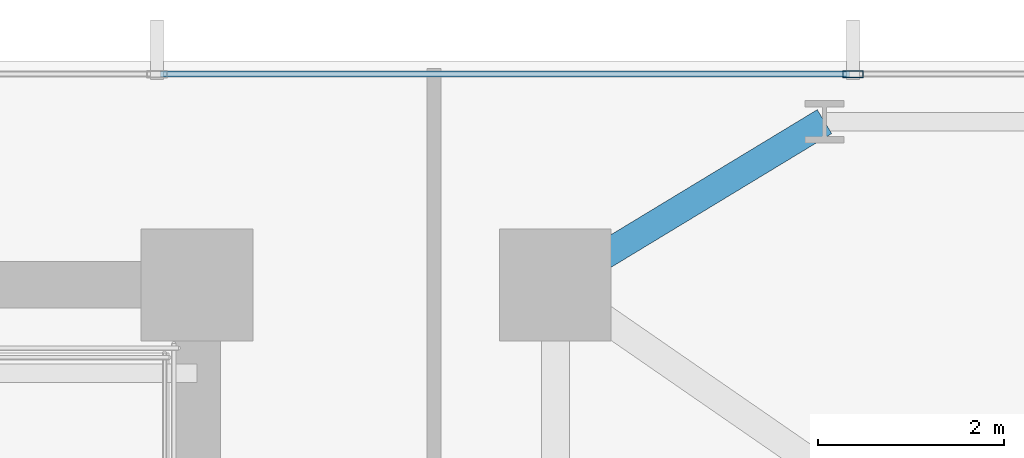
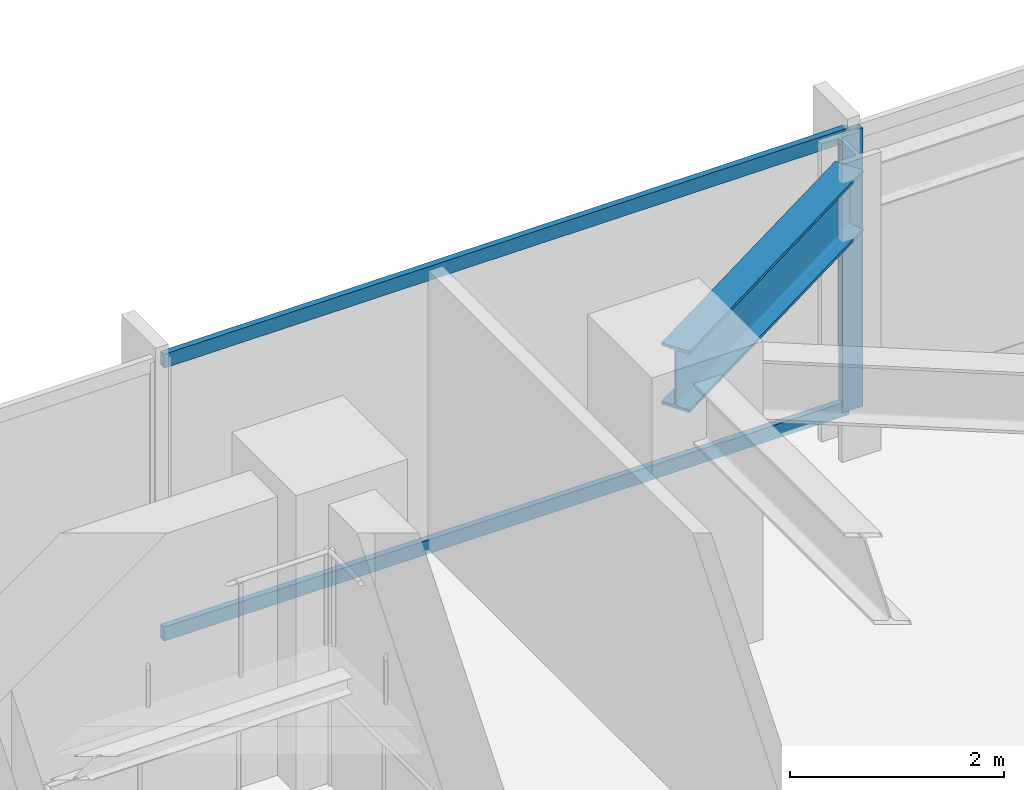
# One storey, part 20 of 32: 3 members, 1 beam, 1 element without a shape of its own.
"""IFC4 building model written with IfcOpenShell, lengths in metres."""

from ifc_helpers import new_model, si_unit, direction, frame, origin, origin_2d, place, context, subcontext, project, spatial, hollow_rectangle, i_section, extrude, material, material_profile, profile_set, type_object, element, aggregate, save


model = new_model("IFC4")

# Units and contexts
model_context = context("Model", 3, precision=1e-05, world=origin(), true_north=direction((0.0, 1.0)))
body_context = subcontext(model_context, "Body", "Model", "MODEL_VIEW")
ifc_project = project(units=[si_unit("LENGTHUNIT", "METRE"), si_unit("AREAUNIT", "SQUARE_METRE"), si_unit("VOLUMEUNIT", "CUBIC_METRE"), si_unit("PLANEANGLEUNIT", "RADIAN"), si_unit("MASSUNIT", "GRAM", prefix="KILO")], contexts=[model_context])

# Site, building, storey
site_placement = place(None, origin())
site = spatial("IfcSite", under=ifc_project, at=site_placement, CompositionType="ELEMENT")
building_placement = place(site_placement, origin())
building = spatial("IfcBuilding", under=site, at=building_placement, Name="Yelkora Congress Tower", CompositionType="ELEMENT")
storey_placement = place(building_placement, frame((0.0, 0.0, 33.800048828125)))
storey = spatial("IfcBuildingStorey", under=building, at=storey_placement, Name="L07", CompositionType="ELEMENT", Elevation=33.800048828125)

# Beam
ifc_material_1 = material(Name="Steel S355J2", Category="steel")
ifc_material_profile_1 = material_profile(ifc_material_1, i_section(OverallWidth=0.300048828125, OverallDepth=0.699951171875, WebThickness=0.01708984375, FlangeThickness=0.031982421875, FilletRadius=0.027099609375, at=origin_2d()), Name="HEB 700")
ifc_profile_set_1 = profile_set([ifc_material_profile_1], Name="Steel S355J2")
beam_type = type_object("IfcBeamType", Name="BM-GIRD-HEB700", PredefinedType="BEAM", material=ifc_profile_set_1)
beam_placement = place(storey_placement, frame((60.487548828125, 47.949951171875, 2.829833984375), z_axis=(-0.855193946581, -0.518308126244, 0.0), x_axis=(0.518308126244, -0.855193946581, 0.0)))
element("IfcBeam", 1, at=beam_placement, inside=storey, type_object=beam_type, Name="L07 Primary Frame Girder N08", PredefinedType="BEAM", context=body_context, shape_type="SweptSolid", body=[
    extrude(i_section(OverallWidth=0.300048828125, OverallDepth=0.699951171875, WebThickness=0.01708984375, FlangeThickness=0.031982421875, FilletRadius=0.027099609375, at=origin_2d()), origin(), (0.0, 0.0, 1.0), 3.37646484375),
])

# Curtain wall, members
ifc_material_2 = material(Name="Anodised aluminium and insulated glass", Category="aluminium")
curtain_wall_type = type_object("IfcCurtainWallType", Name="CW-SYS-B1", PredefinedType="NOTDEFINED", material=ifc_material_2)
curtain_wall_placement = place(storey_placement, origin())
curtain_wall = element("IfcCurtainWall", 2, at=curtain_wall_placement, inside=storey, type_object=curtain_wall_type, Name="L07 Unitised Curtain Wall 10", PredefinedType="NOTDEFINED")
ifc_material_3 = material(Name="Anodised aluminium 6063-T6", Category="aluminium")
ifc_material_profile_2 = material_profile(ifc_material_3, hollow_rectangle(XDim=0.074951171875, YDim=0.219970703125, WallThickness=0.0048828125, at=origin_2d()), Name="ALU 75x220x5")
ifc_profile_set_2 = profile_set([ifc_material_profile_2], Name="Anodised aluminium 6063-T6")
member_type_1 = type_object("IfcMemberType", Name="MEM-ML-B1", PredefinedType="MULLION", material=ifc_profile_set_2)
member_1_placement = place(storey_placement, frame((60.794921875, 48.4599609375, 0.0), z_axis=(0.0, 0.0, 1.0), x_axis=(0.0, 1.0, 0.0)))
member_1 = element("IfcMember", 3, at=member_1_placement, type_object=member_type_1, Name="CW-B1 mullion 8", PredefinedType="MULLION", context=body_context, shape_type="SweptSolid", body=[
    extrude(hollow_rectangle(XDim=0.074951171875, YDim=0.219970703125, WallThickness=0.0048828125, at=origin_2d()), origin(), (0.0, 0.0, 1.0), 3.179931640625),
])
ifc_material_profile_3 = material_profile(ifc_material_3, hollow_rectangle(XDim=0.06494140625, YDim=0.159912109375, WallThickness=0.00390625, at=origin_2d()), Name="ALU 65x160x4")
ifc_profile_set_3 = profile_set([ifc_material_profile_3], Name="Anodised aluminium 6063-T6")
member_type_2 = type_object("IfcMemberType", Name="MEM-TR-B1", PredefinedType="USERDEFINED", material=ifc_profile_set_3)
member_2_placement = place(storey_placement, frame((53.367431640625, 48.4599609375, 0.032470703125), z_axis=(1.0, 0.0, 0.0), x_axis=(0.0, 1.0, 0.0)))
member_2 = element("IfcMember", 4, at=member_2_placement, type_object=member_type_2, Name="CW-B1 transom 7.1", ObjectType="TRANSOM", PredefinedType="USERDEFINED", context=body_context, shape_type="SweptSolid", body=[
    extrude(hollow_rectangle(XDim=0.06494140625, YDim=0.159912109375, WallThickness=0.00390625, at=origin_2d()), origin(), (0.0, 0.0, 1.0), 7.39013671875),
])
member_3_placement = place(storey_placement, frame((53.367431640625, 48.4599609375, 3.1474609375), z_axis=(1.0, 0.0, 0.0), x_axis=(0.0, 1.0, 0.0)))
member_3 = element("IfcMember", 5, at=member_3_placement, type_object=member_type_2, Name="CW-B1 transom 7.2", ObjectType="TRANSOM", PredefinedType="USERDEFINED", context=body_context, shape_type="SweptSolid", body=[
    extrude(hollow_rectangle(XDim=0.06494140625, YDim=0.159912109375, WallThickness=0.00390625, at=origin_2d()), origin(), (0.0, 0.0, 1.0), 7.39013671875),
])
aggregate(curtain_wall, [member_1, member_2, member_3])

save(model, "model.ifc")
